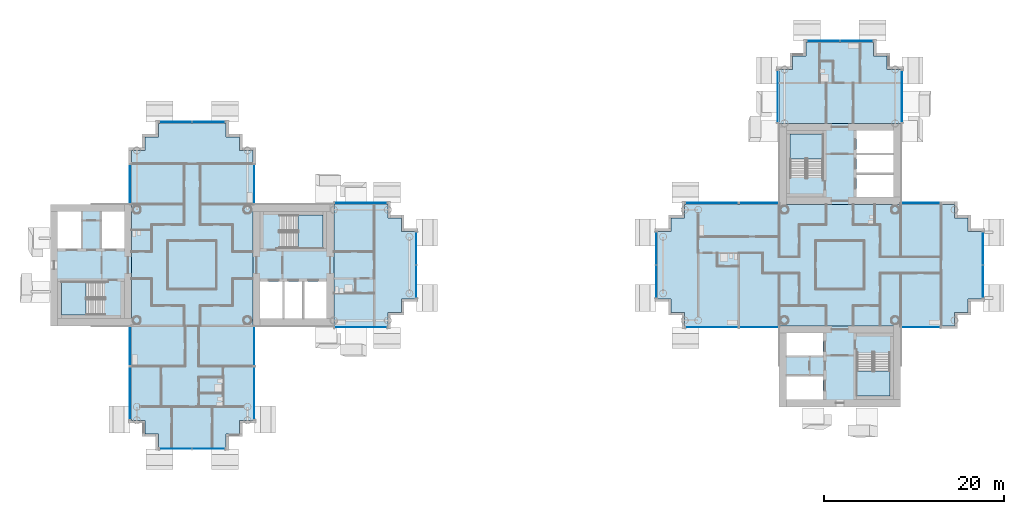
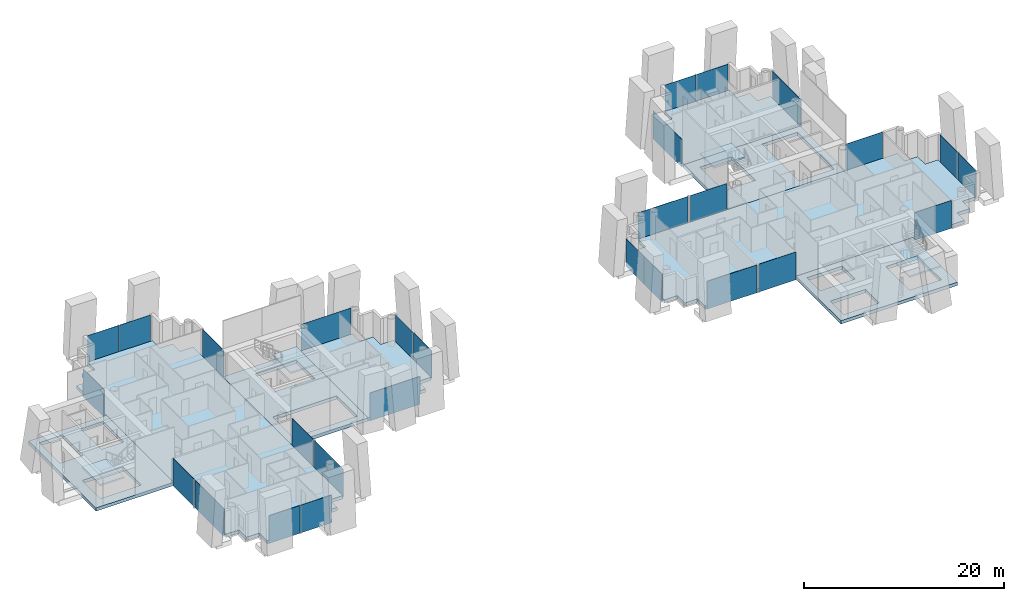
# One storey, part 5 of 19: 28 plates, 12 slabs, 26 elements without a shape of their own.
"""IFC4 building model written with IfcOpenShell, lengths in metres."""

from ifc_helpers import new_model, si_unit, direction, frame, origin, origin_2d, place, context, subcontext, project, spatial, polyline, rectangle, outline, extrude, material, layer, layer_set, type_object, element, aggregate, save


model = new_model("IFC4")

# Units and contexts
model_context = context("Model", 3, precision=1e-05, world=origin(), true_north=direction((0.0, 1.0)))
body_context = subcontext(model_context, "Body", "Model", "MODEL_VIEW")
ifc_project = project(units=[si_unit("LENGTHUNIT", "METRE"), si_unit("AREAUNIT", "SQUARE_METRE"), si_unit("VOLUMEUNIT", "CUBIC_METRE"), si_unit("PLANEANGLEUNIT", "RADIAN"), si_unit("MASSUNIT", "GRAM", prefix="KILO")], contexts=[model_context])

# Site, building, storey
site_placement = place(None, origin())
site = spatial("IfcSite", under=ifc_project, at=site_placement, CompositionType="ELEMENT")
building_placement = place(site_placement, origin())
building = spatial("IfcBuilding", under=site, at=building_placement, Name="Ipe Terrace Towers", CompositionType="ELEMENT")
storey_placement = place(building_placement, frame((0.0, 0.0, 137.10009765625)))
storey = spatial("IfcBuildingStorey", under=building, at=storey_placement, Name="L37", CompositionType="ELEMENT", Elevation=137.10009765625)

# Slabs
ifc_material_1 = material(Name="Concrete C30/37", Category="concrete")
ifc_layer_1 = layer(ifc_material_1, 0.39990234375)
ifc_layer_set_1 = layer_set([ifc_layer_1], Name="CORE FLOOR SLAB 400 C30-37")
slab_type_1 = type_object("IfcSlabType", Name="CORE FLOOR SLAB 400 C30-37", PredefinedType="FLOOR", material=ifc_layer_set_1)
slab_1_placement = place(storey_placement, frame((0.0, 0.0, -0.400146484375)))
element("IfcSlab", 1, at=slab_1_placement, inside=storey, type_object=slab_type_1, Name="Core floor T1-C1", PredefinedType="FLOOR", context=body_context, shape_type="SweptSolid", body=[
    extrude(outline(polyline([(-29.25, -6.75), (-29.25, 6.75), (-20.25, 6.75), (-20.25, -6.75), (-29.25, -6.75)]), holes=[polyline([(-28.449951171875, -5.949951171875), (-21.050048828125, -5.949951171875), (-21.050048828125, -1.85009765625), (-28.449951171875, -1.85009765625), (-28.449951171875, -5.949951171875)]), polyline([(-26.199951171875, 5.550048828125), (-26.199951171875, 1.89990234375), (-21.449951171875, 1.89990234375), (-21.449951171875, 5.550048828125), (-26.199951171875, 5.550048828125)])]), origin(), (0.0, 0.0, 1.0), 0.400146484375),
])
slab_2_placement = place(storey_placement, frame((0.0, 0.0, -0.400146484375)))
element("IfcSlab", 2, at=slab_2_placement, inside=storey, type_object=slab_type_1, Name="Core floor T1-C2", PredefinedType="FLOOR", context=body_context, shape_type="SweptSolid", body=[
    extrude(outline(polyline([(-51.75, -6.75), (-51.75, 6.75), (-42.75, 6.75), (-42.75, -6.75), (-51.75, -6.75)]), holes=[polyline([(-45.800048828125, -1.89990234375), (-50.550048828125, -1.89990234375), (-50.550048828125, -5.550048828125), (-45.800048828125, -5.550048828125), (-45.800048828125, -1.89990234375)]), polyline([(-48.25, 1.85009765625), (-48.25, 5.949951171875), (-50.949951171875, 5.949951171875), (-50.949951171875, 1.85009765625), (-48.25, 1.85009765625)]), polyline([(-43.550048828125, 1.85009765625), (-43.550048828125, 5.949951171875), (-46.14990234375, 5.949951171875), (-46.14990234375, 1.85009765625), (-43.550048828125, 1.85009765625)])]), origin(), (0.0, 0.0, 1.0), 0.400146484375),
])
slab_3_placement = place(storey_placement, frame((0.0, 0.0, -0.400146484375)))
element("IfcSlab", 3, at=slab_3_placement, inside=storey, type_object=slab_type_1, Name="Core floor T2-C1", PredefinedType="FLOOR", context=body_context, shape_type="SweptSolid", body=[
    extrude(outline(polyline([(29.25, 6.75), (29.25, 15.75), (42.75, 15.75), (42.75, 6.75), (29.25, 6.75)]), holes=[polyline([(41.949951171875, 7.550048828125), (41.949951171875, 14.949951171875), (37.85009765625, 14.949951171875), (37.85009765625, 7.550048828125), (41.949951171875, 7.550048828125)]), polyline([(30.449951171875, 9.800048828125), (34.10009765625, 9.800048828125), (34.10009765625, 14.550048828125), (30.449951171875, 14.550048828125), (30.449951171875, 9.800048828125)])]), origin(), (0.0, 0.0, 1.0), 0.400146484375),
])
slab_4_placement = place(storey_placement, frame((0.0, 0.0, -0.400146484375)))
element("IfcSlab", 4, at=slab_4_placement, inside=storey, type_object=slab_type_1, Name="Core floor T2-C2", PredefinedType="FLOOR", context=body_context, shape_type="SweptSolid", body=[
    extrude(outline(polyline([(29.25, -15.75), (29.25, -6.75), (42.75, -6.75), (42.75, -15.75), (29.25, -15.75)]), holes=[polyline([(30.050048828125, -12.25), (30.050048828125, -14.949951171875), (34.14990234375, -14.949951171875), (34.14990234375, -12.25), (30.050048828125, -12.25)]), polyline([(41.550048828125, -9.800048828125), (37.89990234375, -9.800048828125), (37.89990234375, -14.550048828125), (41.550048828125, -14.550048828125), (41.550048828125, -9.800048828125)]), polyline([(34.14990234375, -7.550048828125), (30.050048828125, -7.550048828125), (30.050048828125, -10.14990234375), (34.14990234375, -10.14990234375), (34.14990234375, -7.550048828125)])]), origin(), (0.0, 0.0, 1.0), 0.400146484375),
])

# Stair, slab
ifc_material_2 = material(Name="Concrete C30/37", Category="concrete")
stair_type = type_object("IfcStairType", Name="Protected exit stair", PredefinedType="HALF_TURN_STAIR", material=ifc_material_2)
stair_1_placement = place(storey_placement, origin())
stair_1 = element("IfcStair", 5, at=stair_1_placement, inside=storey, type_object=stair_type, Name="L37 Exit stair T1-C1", PredefinedType="HALF_TURN_STAIR")
ifc_material_3 = material(Name="Concrete C30/37", Category="concrete")
ifc_layer_2 = layer(ifc_material_3, 0.199951171875)
ifc_layer_set_2 = layer_set([ifc_layer_2], Name="Exit stair landing 200")
slab_type_2 = type_object("IfcSlabType", Name="Exit stair landing 200", PredefinedType="LANDING", material=ifc_layer_set_2)
slab_5_placement = place(storey_placement, frame((0.0, 0.0, 1.5)))
slab_5 = element("IfcSlab", 6, at=slab_5_placement, type_object=slab_type_2, Name="T1-ST1 landing 1", PredefinedType="LANDING", context=body_context, shape_type="SweptSolid", body=[
    extrude(outline(polyline([(-24.219970703125, 1.89990234375), (-21.449951171875, 1.89990234375), (-21.449951171875, 5.550048828125), (-24.219970703125, 5.550048828125), (-24.219970703125, 1.89990234375)])), origin(), (0.0, 0.0, 1.0), 0.199951171875),
])
aggregate(stair_1, [slab_5])

stair_2_placement = place(storey_placement, origin())
stair_2 = element("IfcStair", 7, at=stair_2_placement, inside=storey, type_object=stair_type, Name="L37 Exit stair T1-C2", PredefinedType="HALF_TURN_STAIR")
slab_6_placement = place(storey_placement, frame((0.0, 0.0, 1.5)))
slab_6 = element("IfcSlab", 8, at=slab_6_placement, type_object=slab_type_2, Name="T1-ST2 landing 1", PredefinedType="LANDING", context=body_context, shape_type="SweptSolid", body=[
    extrude(outline(polyline([(-47.780029296875, -1.89990234375), (-50.550048828125, -1.89990234375), (-50.550048828125, -5.550048828125), (-47.780029296875, -5.550048828125), (-47.780029296875, -1.89990234375)])), origin(), (0.0, 0.0, 1.0), 0.199951171875),
])
aggregate(stair_2, [slab_6])

stair_3_placement = place(storey_placement, origin())
stair_3 = element("IfcStair", 9, at=stair_3_placement, inside=storey, type_object=stair_type, Name="L37 Exit stair T2-C1", PredefinedType="HALF_TURN_STAIR")
slab_7_placement = place(storey_placement, frame((0.0, 0.0, 1.5)))
slab_7 = element("IfcSlab", 10, at=slab_7_placement, type_object=slab_type_2, Name="T2-ST1 landing 1", PredefinedType="LANDING", context=body_context, shape_type="SweptSolid", body=[
    extrude(outline(polyline([(34.10009765625, 11.780029296875), (34.10009765625, 14.550048828125), (30.449951171875, 14.550048828125), (30.449951171875, 11.780029296875), (34.10009765625, 11.780029296875)])), origin(), (0.0, 0.0, 1.0), 0.199951171875),
])
aggregate(stair_3, [slab_7])

stair_4_placement = place(storey_placement, origin())
stair_4 = element("IfcStair", 11, at=stair_4_placement, inside=storey, type_object=stair_type, Name="L37 Exit stair T2-C2", PredefinedType="HALF_TURN_STAIR")
slab_8_placement = place(storey_placement, frame((0.0, 0.0, 1.5)))
slab_8 = element("IfcSlab", 12, at=slab_8_placement, type_object=slab_type_2, Name="T2-ST2 landing 1", PredefinedType="LANDING", context=body_context, shape_type="SweptSolid", body=[
    extrude(outline(polyline([(37.89990234375, -11.780029296875), (37.89990234375, -14.550048828125), (41.550048828125, -14.550048828125), (41.550048828125, -11.780029296875), (37.89990234375, -11.780029296875)])), origin(), (0.0, 0.0, 1.0), 0.199951171875),
])
aggregate(stair_4, [slab_8])

# Slabs
ifc_material_4 = material(Name="Concrete C40/50", Category="concrete")
ifc_layer_3 = layer(ifc_material_4, 0.39990234375)
ifc_layer_set_3 = layer_set([ifc_layer_3], Name="FLAT PLATE SLAB 400 C40-50")
slab_type_3 = type_object("IfcSlabType", Name="FLAT PLATE SLAB 400 C40-50", PredefinedType="FLOOR", material=ifc_layer_set_3)
slab_9_placement = place(storey_placement, frame((0.0, 0.0, -0.400146484375)))
element("IfcSlab", 13, at=slab_9_placement, inside=storey, type_object=slab_type_3, Name="Slab T1-FS-Z31", PredefinedType="FLOOR", context=body_context, shape_type="SweptSolid", body=[
    extrude(outline(polyline([(-30.75, -17.25), (-30.75, -18.75), (-32.25, -18.75), (-32.25, -20.25), (-39.75, -20.25), (-39.75, -18.75), (-41.25, -18.75), (-41.25, -17.25), (-42.75, -17.25), (-42.75, -6.75), (-42.75, 6.75), (-42.75, 12.75), (-41.25, 12.75), (-41.25, 14.25), (-39.75, 14.25), (-39.75, 15.75), (-32.25, 15.75), (-32.25, 14.25), (-30.75, 14.25), (-30.75, 12.75), (-29.25, 12.75), (-29.25, 6.75), (-29.25, -6.75), (-29.25, -17.25), (-30.75, -17.25)])), origin(), (0.0, 0.0, 1.0), 0.400146484375),
])
slab_10_placement = place(storey_placement, frame((0.0, 0.0, -0.400146484375)))
element("IfcSlab", 14, at=slab_10_placement, inside=storey, type_object=slab_type_3, Name="Slab T1-FS-Z32", PredefinedType="FLOOR", context=body_context, shape_type="SweptSolid", body=[
    extrude(outline(polyline([(-14.25, 5.25), (-12.75, 5.25), (-12.75, 3.75), (-11.25, 3.75), (-11.25, -3.75), (-12.75, -3.75), (-12.75, -5.25), (-14.25, -5.25), (-14.25, -6.75), (-20.25, -6.75), (-20.25, 6.75), (-14.25, 6.75), (-14.25, 5.25)])), origin(), (0.0, 0.0, 1.0), 0.400146484375),
])
slab_11_placement = place(storey_placement, frame((0.0, 0.0, -0.400146484375)))
element("IfcSlab", 15, at=slab_11_placement, inside=storey, type_object=slab_type_3, Name="Slab T2-FS-Z31", PredefinedType="FLOOR", context=body_context, shape_type="SweptSolid", body=[
    extrude(outline(polyline([(48.75, 5.25), (50.25, 5.25), (50.25, 3.75), (51.75, 3.75), (51.75, -3.75), (50.25, -3.75), (50.25, -5.25), (48.75, -5.25), (48.75, -6.75), (42.75, -6.75), (29.25, -6.75), (18.75, -6.75), (18.75, -5.25), (17.25, -5.25), (17.25, -3.75), (15.75, -3.75), (15.75, 3.75), (17.25, 3.75), (17.25, 5.25), (18.75, 5.25), (18.75, 6.75), (29.25, 6.75), (42.75, 6.75), (48.75, 6.75), (48.75, 5.25)])), origin(), (0.0, 0.0, 1.0), 0.400146484375),
])
slab_12_placement = place(storey_placement, frame((0.0, 0.0, -0.400146484375)))
element("IfcSlab", 16, at=slab_12_placement, inside=storey, type_object=slab_type_3, Name="Slab T2-FS-Z32", PredefinedType="FLOOR", context=body_context, shape_type="SweptSolid", body=[
    extrude(outline(polyline([(30.75, 21.75), (30.75, 23.25), (32.25, 23.25), (32.25, 24.75), (39.75, 24.75), (39.75, 23.25), (41.25, 23.25), (41.25, 21.75), (42.75, 21.75), (42.75, 15.75), (29.25, 15.75), (29.25, 21.75), (30.75, 21.75)])), origin(), (0.0, 0.0, 1.0), 0.400146484375),
])

# Curtain wall, plate
ifc_material_5 = material(Name="Aluminium alloy 6063-T6", Category="aluminium")
ifc_layer_4 = layer(ifc_material_5, 0.320068359375)
ifc_layer_set_4 = layer_set([ifc_layer_4], Name="TOWER UNITISED CURTAIN WALL")
curtain_wall_type = type_object("IfcCurtainWallType", Name="TOWER UNITISED CURTAIN WALL", PredefinedType="NOTDEFINED", material=ifc_layer_set_4)
curtain_wall_1_placement = place(storey_placement, origin())
curtain_wall_1 = element("IfcCurtainWall", 17, at=curtain_wall_1_placement, inside=storey, type_object=curtain_wall_type, Name="T1-CW-L37-02a curtain wall", PredefinedType="NOTDEFINED")
ifc_material_6 = material(Name="Glass, clear laminated", Category="glass")
ifc_layer_5 = layer(ifc_material_6, 0.031982421875)
ifc_layer_set_5 = layer_set([ifc_layer_5], Name="TOWER UNITISED GLASS PANEL 32")
plate_type = type_object("IfcPlateType", Name="TOWER UNITISED GLASS PANEL 32", PredefinedType="CURTAIN_PANEL", material=ifc_layer_set_5)
plate_1_placement = place(storey_placement, frame((-42.909912109375, -9.0, -0.300048828125), z_axis=(0.0, 0.0, 1.0), x_axis=(0.0, -1.0, 0.0)))
plate_1 = element("IfcPlate", 18, at=plate_1_placement, type_object=plate_type, Name="T1-CW-L37-02a panel 1", PredefinedType="CURTAIN_PANEL", context=body_context, shape_type="SweptSolid", body=[
    extrude(rectangle(XDim=4.260009765625, YDim=0.031982421875, at=origin_2d()), origin(), (0.0, 0.0, 1.0), 3.39990234375),
])
aggregate(curtain_wall_1, [plate_1])

curtain_wall_2_placement = place(storey_placement, origin())
curtain_wall_2 = element("IfcCurtainWall", 19, at=curtain_wall_2_placement, inside=storey, type_object=curtain_wall_type, Name="T1-CW-L37-03a curtain wall", PredefinedType="NOTDEFINED")
plate_2_placement = place(storey_placement, frame((-42.909912109375, -14.25, -0.300048828125), z_axis=(0.0, 0.0, 1.0), x_axis=(0.0, -1.0, 0.0)))
plate_2 = element("IfcPlate", 20, at=plate_2_placement, type_object=plate_type, Name="T1-CW-L37-03a panel 1", PredefinedType="CURTAIN_PANEL", context=body_context, shape_type="SweptSolid", body=[
    extrude(rectangle(XDim=5.760009765625, YDim=0.031982421875, at=origin_2d()), origin(), (0.0, 0.0, 1.0), 3.39990234375),
])
aggregate(curtain_wall_2, [plate_2])

# Curtain wall, plates
curtain_wall_3_placement = place(storey_placement, origin())
curtain_wall_3 = element("IfcCurtainWall", 21, at=curtain_wall_3_placement, inside=storey, type_object=curtain_wall_type, Name="T1-CW-L37-08a curtain wall", PredefinedType="NOTDEFINED")
plate_3_placement = place(storey_placement, frame((-37.831298828125, -20.409912109375, -0.300048828125), z_axis=(0.0, 0.0, 1.0), x_axis=(1.0, 0.0, 0.0)))
plate_3 = element("IfcPlate", 22, at=plate_3_placement, type_object=plate_type, Name="T1-CW-L37-08a panel 1", PredefinedType="CURTAIN_PANEL", context=body_context, shape_type="SweptSolid", body=[
    extrude(rectangle(XDim=3.597412109375, YDim=0.031982421875, at=origin_2d()), origin(), (0.0, 0.0, 1.0), 3.39990234375),
])
plate_4_placement = place(storey_placement, frame((-34.168701171875, -20.409912109375, -0.300048828125), z_axis=(0.0, 0.0, 1.0), x_axis=(1.0, 0.0, 0.0)))
plate_4 = element("IfcPlate", 23, at=plate_4_placement, type_object=plate_type, Name="T1-CW-L37-08a panel 2", PredefinedType="CURTAIN_PANEL", context=body_context, shape_type="SweptSolid", body=[
    extrude(rectangle(XDim=3.597412109375, YDim=0.031982421875, at=origin_2d()), origin(), (0.0, 0.0, 1.0), 3.39990234375),
])
aggregate(curtain_wall_3, [plate_3, plate_4])

# Curtain wall, plate
curtain_wall_4_placement = place(storey_placement, origin())
curtain_wall_4 = element("IfcCurtainWall", 24, at=curtain_wall_4_placement, inside=storey, type_object=curtain_wall_type, Name="T1-CW-L37-13a curtain wall", PredefinedType="NOTDEFINED")
plate_5_placement = place(storey_placement, frame((-29.090087890625, -14.25, -0.300048828125), z_axis=(0.0, 0.0, 1.0), x_axis=(0.0, 1.0, 0.0)))
plate_5 = element("IfcPlate", 25, at=plate_5_placement, type_object=plate_type, Name="T1-CW-L37-13a panel 1", PredefinedType="CURTAIN_PANEL", context=body_context, shape_type="SweptSolid", body=[
    extrude(rectangle(XDim=5.760009765625, YDim=0.031982421875, at=origin_2d()), origin(), (0.0, 0.0, 1.0), 3.39990234375),
])
aggregate(curtain_wall_4, [plate_5])

curtain_wall_5_placement = place(storey_placement, origin())
curtain_wall_5 = element("IfcCurtainWall", 26, at=curtain_wall_5_placement, inside=storey, type_object=curtain_wall_type, Name="T1-CW-L37-14a curtain wall", PredefinedType="NOTDEFINED")
plate_6_placement = place(storey_placement, frame((-29.090087890625, -9.0, -0.300048828125), z_axis=(0.0, 0.0, 1.0), x_axis=(0.0, 1.0, 0.0)))
plate_6 = element("IfcPlate", 27, at=plate_6_placement, type_object=plate_type, Name="T1-CW-L37-14a panel 1", PredefinedType="CURTAIN_PANEL", context=body_context, shape_type="SweptSolid", body=[
    extrude(rectangle(XDim=4.260009765625, YDim=0.031982421875, at=origin_2d()), origin(), (0.0, 0.0, 1.0), 3.39990234375),
])
aggregate(curtain_wall_5, [plate_6])

curtain_wall_6_placement = place(storey_placement, origin())
curtain_wall_6 = element("IfcCurtainWall", 28, at=curtain_wall_6_placement, inside=storey, type_object=curtain_wall_type, Name="T1-CW-L37-16b curtain wall", PredefinedType="NOTDEFINED")
plate_7_placement = place(storey_placement, frame((-17.24951171875, -6.909912109375, -0.300048828125), z_axis=(0.0, 0.0, 1.0), x_axis=(1.0, 0.0, 0.0)))
plate_7 = element("IfcPlate", 29, at=plate_7_placement, type_object=plate_type, Name="T1-CW-L37-16b panel 1", PredefinedType="CURTAIN_PANEL", context=body_context, shape_type="SweptSolid", body=[
    extrude(rectangle(XDim=5.759033203125, YDim=0.031982421875, at=origin_2d()), origin(), (0.0, 0.0, 1.0), 3.39990234375),
])
aggregate(curtain_wall_6, [plate_7])

# Curtain wall, plates
curtain_wall_7_placement = place(storey_placement, origin())
curtain_wall_7 = element("IfcCurtainWall", 30, at=curtain_wall_7_placement, inside=storey, type_object=curtain_wall_type, Name="T1-CW-L37-21a curtain wall", PredefinedType="NOTDEFINED")
plate_8_placement = place(storey_placement, frame((-11.090087890625, -1.831298828125, -0.300048828125), z_axis=(0.0, 0.0, 1.0), x_axis=(0.0, 1.0, 0.0)))
plate_8 = element("IfcPlate", 31, at=plate_8_placement, type_object=plate_type, Name="T1-CW-L37-21a panel 1", PredefinedType="CURTAIN_PANEL", context=body_context, shape_type="SweptSolid", body=[
    extrude(rectangle(XDim=3.597412109375, YDim=0.031982421875, at=origin_2d()), origin(), (0.0, 0.0, 1.0), 3.39990234375),
])
plate_9_placement = place(storey_placement, frame((-11.090087890625, 1.831298828125, -0.300048828125), z_axis=(0.0, 0.0, 1.0), x_axis=(0.0, 1.0, 0.0)))
plate_9 = element("IfcPlate", 32, at=plate_9_placement, type_object=plate_type, Name="T1-CW-L37-21a panel 2", PredefinedType="CURTAIN_PANEL", context=body_context, shape_type="SweptSolid", body=[
    extrude(rectangle(XDim=3.597412109375, YDim=0.031982421875, at=origin_2d()), origin(), (0.0, 0.0, 1.0), 3.39990234375),
])
aggregate(curtain_wall_7, [plate_8, plate_9])

# Curtain wall, plate
curtain_wall_8_placement = place(storey_placement, origin())
curtain_wall_8 = element("IfcCurtainWall", 33, at=curtain_wall_8_placement, inside=storey, type_object=curtain_wall_type, Name="T1-CW-L37-26a curtain wall", PredefinedType="NOTDEFINED")
plate_10_placement = place(storey_placement, frame((-17.24951171875, 6.909912109375, -0.300048828125), z_axis=(0.0, 0.0, 1.0), x_axis=(-1.0, 0.0, 0.0)))
plate_10 = element("IfcPlate", 34, at=plate_10_placement, type_object=plate_type, Name="T1-CW-L37-26a panel 1", PredefinedType="CURTAIN_PANEL", context=body_context, shape_type="SweptSolid", body=[
    extrude(rectangle(XDim=5.759033203125, YDim=0.031982421875, at=origin_2d()), origin(), (0.0, 0.0, 1.0), 3.39990234375),
])
aggregate(curtain_wall_8, [plate_10])

curtain_wall_9_placement = place(storey_placement, origin())
curtain_wall_9 = element("IfcCurtainWall", 35, at=curtain_wall_9_placement, inside=storey, type_object=curtain_wall_type, Name="T1-CW-L37-28a curtain wall", PredefinedType="NOTDEFINED")
plate_11_placement = place(storey_placement, frame((-29.090087890625, 9.0, -0.300048828125), z_axis=(0.0, 0.0, 1.0), x_axis=(0.0, 1.0, 0.0)))
plate_11 = element("IfcPlate", 36, at=plate_11_placement, type_object=plate_type, Name="T1-CW-L37-28a panel 1", PredefinedType="CURTAIN_PANEL", context=body_context, shape_type="SweptSolid", body=[
    extrude(rectangle(XDim=4.260009765625, YDim=0.031982421875, at=origin_2d()), origin(), (0.0, 0.0, 1.0), 3.39990234375),
])
aggregate(curtain_wall_9, [plate_11])

# Curtain wall, plates
curtain_wall_10_placement = place(storey_placement, origin())
curtain_wall_10 = element("IfcCurtainWall", 37, at=curtain_wall_10_placement, inside=storey, type_object=curtain_wall_type, Name="T1-CW-L37-34a curtain wall", PredefinedType="NOTDEFINED")
plate_12_placement = place(storey_placement, frame((-34.168701171875, 15.909912109375, -0.300048828125), z_axis=(0.0, 0.0, 1.0), x_axis=(-1.0, 0.0, 0.0)))
plate_12 = element("IfcPlate", 38, at=plate_12_placement, type_object=plate_type, Name="T1-CW-L37-34a panel 1", PredefinedType="CURTAIN_PANEL", context=body_context, shape_type="SweptSolid", body=[
    extrude(rectangle(XDim=3.597412109375, YDim=0.031982421875, at=origin_2d()), origin(), (0.0, 0.0, 1.0), 3.39990234375),
])
plate_13_placement = place(storey_placement, frame((-37.831298828125, 15.909912109375, -0.300048828125), z_axis=(0.0, 0.0, 1.0), x_axis=(-1.0, 0.0, 0.0)))
plate_13 = element("IfcPlate", 39, at=plate_13_placement, type_object=plate_type, Name="T1-CW-L37-34a panel 2", PredefinedType="CURTAIN_PANEL", context=body_context, shape_type="SweptSolid", body=[
    extrude(rectangle(XDim=3.597412109375, YDim=0.031982421875, at=origin_2d()), origin(), (0.0, 0.0, 1.0), 3.39990234375),
])
aggregate(curtain_wall_10, [plate_12, plate_13])

# Curtain wall, plate
curtain_wall_11_placement = place(storey_placement, origin())
curtain_wall_11 = element("IfcCurtainWall", 40, at=curtain_wall_11_placement, inside=storey, type_object=curtain_wall_type, Name="T1-CW-L37-40a curtain wall", PredefinedType="NOTDEFINED")
plate_14_placement = place(storey_placement, frame((-42.909912109375, 9.0, -0.300048828125), z_axis=(0.0, 0.0, 1.0), x_axis=(0.0, -1.0, 0.0)))
plate_14 = element("IfcPlate", 41, at=plate_14_placement, type_object=plate_type, Name="T1-CW-L37-40a panel 1", PredefinedType="CURTAIN_PANEL", context=body_context, shape_type="SweptSolid", body=[
    extrude(rectangle(XDim=4.260009765625, YDim=0.031982421875, at=origin_2d()), origin(), (0.0, 0.0, 1.0), 3.39990234375),
])
aggregate(curtain_wall_11, [plate_14])

curtain_wall_12_placement = place(storey_placement, origin())
curtain_wall_12 = element("IfcCurtainWall", 42, at=curtain_wall_12_placement, inside=storey, type_object=curtain_wall_type, Name="T2-CW-L37-02a curtain wall", PredefinedType="NOTDEFINED")
plate_15_placement = place(storey_placement, frame((45.0, -6.909912109375, -0.300048828125), z_axis=(0.0, 0.0, 1.0), x_axis=(1.0, 0.0, 0.0)))
plate_15 = element("IfcPlate", 43, at=plate_15_placement, type_object=plate_type, Name="T2-CW-L37-02a panel 1", PredefinedType="CURTAIN_PANEL", context=body_context, shape_type="SweptSolid", body=[
    extrude(rectangle(XDim=4.260009765625, YDim=0.031982421875, at=origin_2d()), origin(), (0.0, 0.0, 1.0), 3.39990234375),
])
aggregate(curtain_wall_12, [plate_15])

# Curtain wall, plates
curtain_wall_13_placement = place(storey_placement, origin())
curtain_wall_13 = element("IfcCurtainWall", 44, at=curtain_wall_13_placement, inside=storey, type_object=curtain_wall_type, Name="T2-CW-L37-08a curtain wall", PredefinedType="NOTDEFINED")
plate_16_placement = place(storey_placement, frame((51.909912109375, -1.831298828125, -0.300048828125), z_axis=(0.0, 0.0, 1.0), x_axis=(0.0, 1.0, 0.0)))
plate_16 = element("IfcPlate", 45, at=plate_16_placement, type_object=plate_type, Name="T2-CW-L37-08a panel 1", PredefinedType="CURTAIN_PANEL", context=body_context, shape_type="SweptSolid", body=[
    extrude(rectangle(XDim=3.597412109375, YDim=0.031982421875, at=origin_2d()), origin(), (0.0, 0.0, 1.0), 3.39990234375),
])
plate_17_placement = place(storey_placement, frame((51.909912109375, 1.831298828125, -0.300048828125), z_axis=(0.0, 0.0, 1.0), x_axis=(0.0, 1.0, 0.0)))
plate_17 = element("IfcPlate", 46, at=plate_17_placement, type_object=plate_type, Name="T2-CW-L37-08a panel 2", PredefinedType="CURTAIN_PANEL", context=body_context, shape_type="SweptSolid", body=[
    extrude(rectangle(XDim=3.597412109375, YDim=0.031982421875, at=origin_2d()), origin(), (0.0, 0.0, 1.0), 3.39990234375),
])
aggregate(curtain_wall_13, [plate_16, plate_17])

# Curtain wall, plate
curtain_wall_14_placement = place(storey_placement, origin())
curtain_wall_14 = element("IfcCurtainWall", 47, at=curtain_wall_14_placement, inside=storey, type_object=curtain_wall_type, Name="T2-CW-L37-14a curtain wall", PredefinedType="NOTDEFINED")
plate_18_placement = place(storey_placement, frame((45.0, 6.909912109375, -0.300048828125), z_axis=(0.0, 0.0, 1.0), x_axis=(-1.0, 0.0, 0.0)))
plate_18 = element("IfcPlate", 48, at=plate_18_placement, type_object=plate_type, Name="T2-CW-L37-14a panel 1", PredefinedType="CURTAIN_PANEL", context=body_context, shape_type="SweptSolid", body=[
    extrude(rectangle(XDim=4.260009765625, YDim=0.031982421875, at=origin_2d()), origin(), (0.0, 0.0, 1.0), 3.39990234375),
])
aggregate(curtain_wall_14, [plate_18])

curtain_wall_15_placement = place(storey_placement, origin())
curtain_wall_15 = element("IfcCurtainWall", 49, at=curtain_wall_15_placement, inside=storey, type_object=curtain_wall_type, Name="T2-CW-L37-16b curtain wall", PredefinedType="NOTDEFINED")
plate_19_placement = place(storey_placement, frame((42.909912109375, 18.75048828125, -0.300048828125), z_axis=(0.0, 0.0, 1.0), x_axis=(0.0, 1.0, 0.0)))
plate_19 = element("IfcPlate", 50, at=plate_19_placement, type_object=plate_type, Name="T2-CW-L37-16b panel 1", PredefinedType="CURTAIN_PANEL", context=body_context, shape_type="SweptSolid", body=[
    extrude(rectangle(XDim=5.759033203125, YDim=0.031982421875, at=origin_2d()), origin(), (0.0, 0.0, 1.0), 3.39990234375),
])
aggregate(curtain_wall_15, [plate_19])

# Curtain wall, plates
curtain_wall_16_placement = place(storey_placement, origin())
curtain_wall_16 = element("IfcCurtainWall", 51, at=curtain_wall_16_placement, inside=storey, type_object=curtain_wall_type, Name="T2-CW-L37-21a curtain wall", PredefinedType="NOTDEFINED")
plate_20_placement = place(storey_placement, frame((37.831298828125, 24.909912109375, -0.300048828125), z_axis=(0.0, 0.0, 1.0), x_axis=(-1.0, 0.0, 0.0)))
plate_20 = element("IfcPlate", 52, at=plate_20_placement, type_object=plate_type, Name="T2-CW-L37-21a panel 1", PredefinedType="CURTAIN_PANEL", context=body_context, shape_type="SweptSolid", body=[
    extrude(rectangle(XDim=3.597412109375, YDim=0.031982421875, at=origin_2d()), origin(), (0.0, 0.0, 1.0), 3.39990234375),
])
plate_21_placement = place(storey_placement, frame((34.168701171875, 24.909912109375, -0.300048828125), z_axis=(0.0, 0.0, 1.0), x_axis=(-1.0, 0.0, 0.0)))
plate_21 = element("IfcPlate", 53, at=plate_21_placement, type_object=plate_type, Name="T2-CW-L37-21a panel 2", PredefinedType="CURTAIN_PANEL", context=body_context, shape_type="SweptSolid", body=[
    extrude(rectangle(XDim=3.597412109375, YDim=0.031982421875, at=origin_2d()), origin(), (0.0, 0.0, 1.0), 3.39990234375),
])
aggregate(curtain_wall_16, [plate_20, plate_21])

# Curtain wall, plate
curtain_wall_17_placement = place(storey_placement, origin())
curtain_wall_17 = element("IfcCurtainWall", 54, at=curtain_wall_17_placement, inside=storey, type_object=curtain_wall_type, Name="T2-CW-L37-26a curtain wall", PredefinedType="NOTDEFINED")
plate_22_placement = place(storey_placement, frame((29.090087890625, 18.75048828125, -0.300048828125), z_axis=(0.0, 0.0, 1.0), x_axis=(0.0, -1.0, 0.0)))
plate_22 = element("IfcPlate", 55, at=plate_22_placement, type_object=plate_type, Name="T2-CW-L37-26a panel 1", PredefinedType="CURTAIN_PANEL", context=body_context, shape_type="SweptSolid", body=[
    extrude(rectangle(XDim=5.759033203125, YDim=0.031982421875, at=origin_2d()), origin(), (0.0, 0.0, 1.0), 3.39990234375),
])
aggregate(curtain_wall_17, [plate_22])

curtain_wall_18_placement = place(storey_placement, origin())
curtain_wall_18 = element("IfcCurtainWall", 56, at=curtain_wall_18_placement, inside=storey, type_object=curtain_wall_type, Name="T2-CW-L37-28a curtain wall", PredefinedType="NOTDEFINED")
plate_23_placement = place(storey_placement, frame((27.0, 6.909912109375, -0.300048828125), z_axis=(0.0, 0.0, 1.0), x_axis=(-1.0, 0.0, 0.0)))
plate_23 = element("IfcPlate", 57, at=plate_23_placement, type_object=plate_type, Name="T2-CW-L37-28a panel 1", PredefinedType="CURTAIN_PANEL", context=body_context, shape_type="SweptSolid", body=[
    extrude(rectangle(XDim=4.260009765625, YDim=0.031982421875, at=origin_2d()), origin(), (0.0, 0.0, 1.0), 3.39990234375),
])
aggregate(curtain_wall_18, [plate_23])

curtain_wall_19_placement = place(storey_placement, origin())
curtain_wall_19 = element("IfcCurtainWall", 58, at=curtain_wall_19_placement, inside=storey, type_object=curtain_wall_type, Name="T2-CW-L37-29a curtain wall", PredefinedType="NOTDEFINED")
plate_24_placement = place(storey_placement, frame((21.75, 6.909912109375, -0.300048828125), z_axis=(0.0, 0.0, 1.0), x_axis=(-1.0, 0.0, 0.0)))
plate_24 = element("IfcPlate", 59, at=plate_24_placement, type_object=plate_type, Name="T2-CW-L37-29a panel 1", PredefinedType="CURTAIN_PANEL", context=body_context, shape_type="SweptSolid", body=[
    extrude(rectangle(XDim=5.760009765625, YDim=0.031982421875, at=origin_2d()), origin(), (0.0, 0.0, 1.0), 3.39990234375),
])
aggregate(curtain_wall_19, [plate_24])

# Curtain wall, plates
curtain_wall_20_placement = place(storey_placement, origin())
curtain_wall_20 = element("IfcCurtainWall", 60, at=curtain_wall_20_placement, inside=storey, type_object=curtain_wall_type, Name="T2-CW-L37-34a curtain wall", PredefinedType="NOTDEFINED")
plate_25_placement = place(storey_placement, frame((15.590087890625, 1.831298828125, -0.300048828125), z_axis=(0.0, 0.0, 1.0), x_axis=(0.0, -1.0, 0.0)))
plate_25 = element("IfcPlate", 61, at=plate_25_placement, type_object=plate_type, Name="T2-CW-L37-34a panel 1", PredefinedType="CURTAIN_PANEL", context=body_context, shape_type="SweptSolid", body=[
    extrude(rectangle(XDim=3.597412109375, YDim=0.031982421875, at=origin_2d()), origin(), (0.0, 0.0, 1.0), 3.39990234375),
])
plate_26_placement = place(storey_placement, frame((15.590087890625, -1.831298828125, -0.300048828125), z_axis=(0.0, 0.0, 1.0), x_axis=(0.0, -1.0, 0.0)))
plate_26 = element("IfcPlate", 62, at=plate_26_placement, type_object=plate_type, Name="T2-CW-L37-34a panel 2", PredefinedType="CURTAIN_PANEL", context=body_context, shape_type="SweptSolid", body=[
    extrude(rectangle(XDim=3.597412109375, YDim=0.031982421875, at=origin_2d()), origin(), (0.0, 0.0, 1.0), 3.39990234375),
])
aggregate(curtain_wall_20, [plate_25, plate_26])

# Curtain wall, plate
curtain_wall_21_placement = place(storey_placement, origin())
curtain_wall_21 = element("IfcCurtainWall", 63, at=curtain_wall_21_placement, inside=storey, type_object=curtain_wall_type, Name="T2-CW-L37-39a curtain wall", PredefinedType="NOTDEFINED")
plate_27_placement = place(storey_placement, frame((21.75, -6.909912109375, -0.300048828125), z_axis=(0.0, 0.0, 1.0), x_axis=(1.0, 0.0, 0.0)))
plate_27 = element("IfcPlate", 64, at=plate_27_placement, type_object=plate_type, Name="T2-CW-L37-39a panel 1", PredefinedType="CURTAIN_PANEL", context=body_context, shape_type="SweptSolid", body=[
    extrude(rectangle(XDim=5.760009765625, YDim=0.031982421875, at=origin_2d()), origin(), (0.0, 0.0, 1.0), 3.39990234375),
])
aggregate(curtain_wall_21, [plate_27])

curtain_wall_22_placement = place(storey_placement, origin())
curtain_wall_22 = element("IfcCurtainWall", 65, at=curtain_wall_22_placement, inside=storey, type_object=curtain_wall_type, Name="T2-CW-L37-40a curtain wall", PredefinedType="NOTDEFINED")
plate_28_placement = place(storey_placement, frame((27.0, -6.909912109375, -0.300048828125), z_axis=(0.0, 0.0, 1.0), x_axis=(1.0, 0.0, 0.0)))
plate_28 = element("IfcPlate", 66, at=plate_28_placement, type_object=plate_type, Name="T2-CW-L37-40a panel 1", PredefinedType="CURTAIN_PANEL", context=body_context, shape_type="SweptSolid", body=[
    extrude(rectangle(XDim=4.260009765625, YDim=0.031982421875, at=origin_2d()), origin(), (0.0, 0.0, 1.0), 3.39990234375),
])
aggregate(curtain_wall_22, [plate_28])

save(model, "model.ifc")
